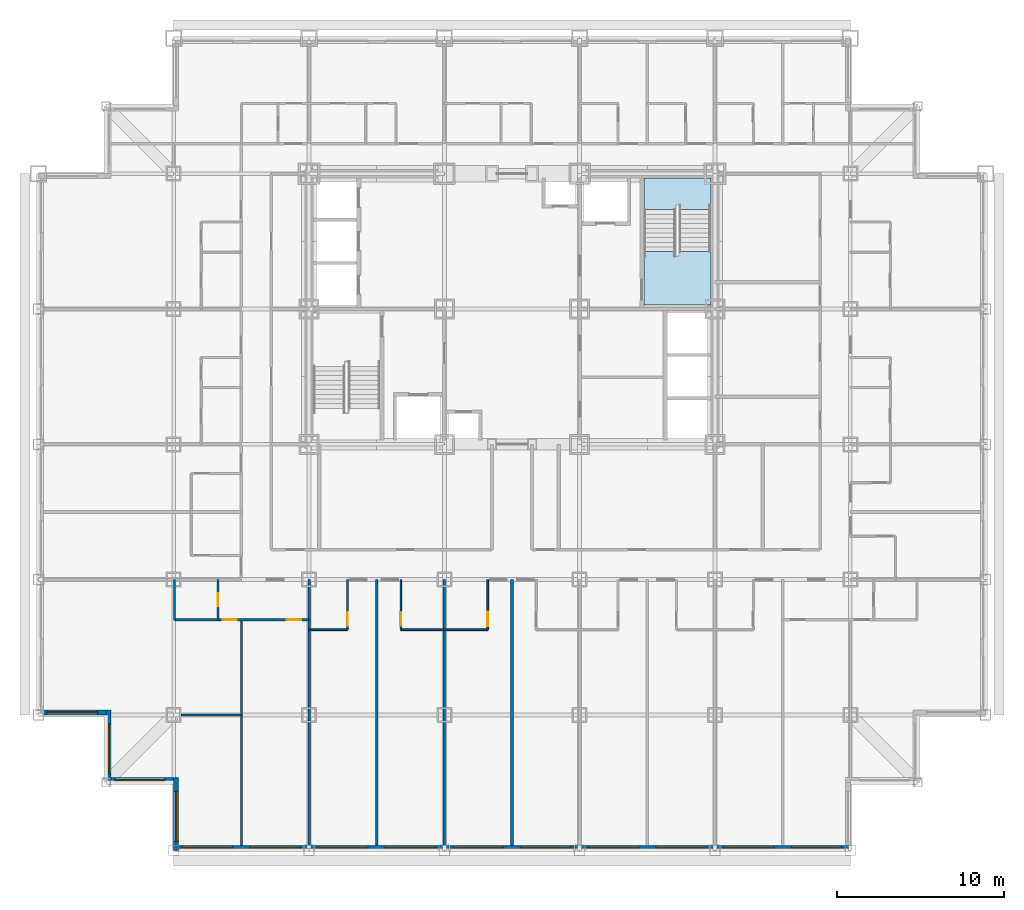
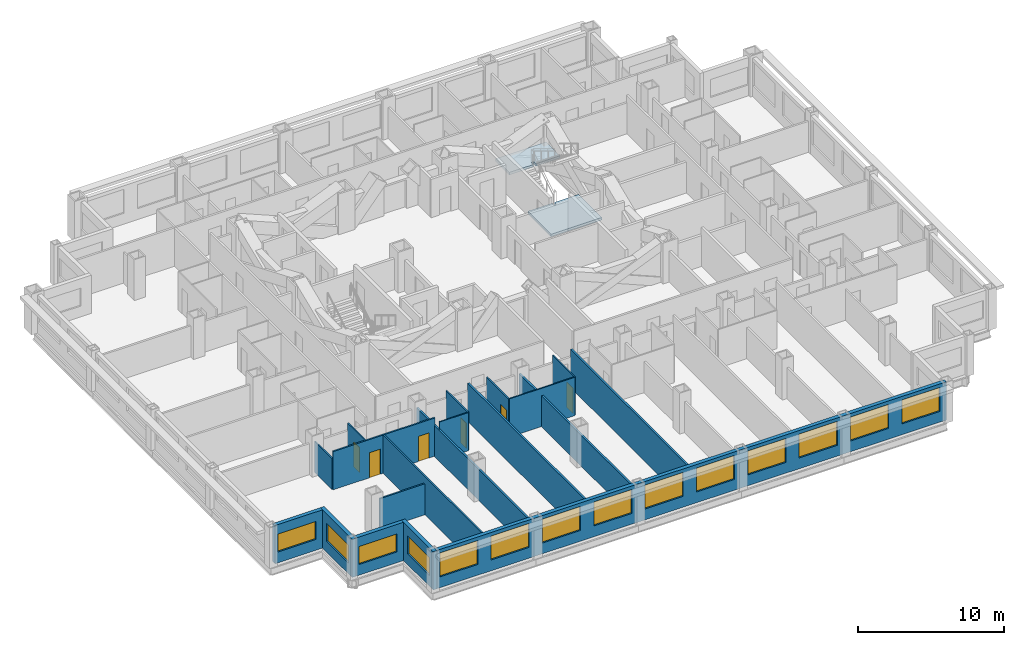
# One storey, part 3 of 11: 19 walls, 14 windows, 6 doors, 2 slabs, 20 openings, 1 element without a shape of its own.
"""IFC4 building model written with IfcOpenShell, lengths in metres."""

from ifc_helpers import new_model, si_unit, direction, frame, frame_2d, origin, place, context, subcontext, project, spatial, polyline, rectangle, outline, extrude, material, layer, layer_set, type_object, element, fill, aggregate, save


model = new_model("IFC4")

# Units and contexts
model_context = context("Model", 3, precision=1e-05, world=origin(), true_north=direction((0.0, 1.0)))
body_context = subcontext(model_context, "Body", "Model", "MODEL_VIEW")
ifc_project = project(units=[si_unit("LENGTHUNIT", "METRE"), si_unit("AREAUNIT", "SQUARE_METRE"), si_unit("VOLUMEUNIT", "CUBIC_METRE"), si_unit("PLANEANGLEUNIT", "RADIAN"), si_unit("MASSUNIT", "GRAM", prefix="KILO")], contexts=[model_context])

# Site, building, storey
site_placement = place(None, origin())
site = spatial("IfcSite", under=ifc_project, at=site_placement, CompositionType="ELEMENT")
building_placement = place(site_placement, origin())
building = spatial("IfcBuilding", under=site, at=building_placement, Name="Kopane Lantern Tower", CompositionType="ELEMENT")
storey_placement = place(building_placement, frame((0.0, 0.0, 73.800048828125)))
storey = spatial("IfcBuildingStorey", under=building, at=storey_placement, Name="L18", CompositionType="ELEMENT", Elevation=73.800048828125)

# Stair, slabs
ifc_material_1 = material(Name="Steel S355JR", Category="steel")
stair_type = type_object("IfcStairType", Name="EXIT STAIR 1900 HALF TURN", PredefinedType="HALF_TURN_STAIR", material=ifc_material_1)
stair_placement = place(storey_placement, origin())
stair = element("IfcStair", 1, at=stair_placement, inside=storey, type_object=stair_type, Name="Exit stair ST2 L18", PredefinedType="HALF_TURN_STAIR")
ifc_material_2 = material(Name="Concrete C40/50", Category="concrete")
ifc_layer_1 = layer(ifc_material_2, 0.199951171875)
ifc_layer_set_1 = layer_set([ifc_layer_1], Name="STAIR LANDING 200")
slab_type = type_object("IfcSlabType", Name="STAIR LANDING 200", PredefinedType="LANDING", material=ifc_layer_set_1)
slab_1_placement = place(storey_placement, frame((0.0, 0.0, -0.199951171875)))
slab_1 = element("IfcSlab", 2, at=slab_1_placement, type_object=slab_type, Name="ST2 landing 1", PredefinedType="LANDING", context=body_context, shape_type="SweptSolid", body=[
    extrude(outline(polyline([(40.25, 35.830078125), (38.35009765625, 35.830078125), (38.35009765625, 35.550048828125), (38.14990234375, 35.550048828125), (38.14990234375, 35.830078125), (36.25, 35.830078125), (36.25, 32.64990234375), (40.25, 32.64990234375), (40.25, 35.830078125)])), origin(), (0.0, 0.0, 1.0), 0.199951171875),
])
slab_2_placement = place(storey_placement, frame((0.0, 0.0, 1.5)))
slab_2 = element("IfcSlab", 3, at=slab_2_placement, type_object=slab_type, Name="ST2 landing 2", PredefinedType="LANDING", context=body_context, shape_type="SweptSolid", body=[
    extrude(outline(polyline([(38.14990234375, 38.6298828125), (38.35009765625, 38.6298828125), (38.35009765625, 38.35009765625), (40.25, 38.35009765625), (40.25, 40.25), (36.25, 40.25), (36.25, 38.35009765625), (38.14990234375, 38.35009765625), (38.14990234375, 38.6298828125)])), origin(), (0.0, 0.0, 1.0), 0.199951171875),
])
aggregate(stair, [slab_1, slab_2])

# Wall, openings, doors
ifc_material_3 = material(Name="Gypsum board on steel studs", Category="steel")
ifc_layer_2 = layer(ifc_material_3, 0.1201171875)
ifc_layer_set_2 = layer_set([ifc_layer_2], Name="APARTMENT INTERNAL WALL 120")
wall_type_1 = type_object("IfcWallType", Name="APARTMENT INTERNAL WALL 120", PredefinedType="PARTITIONING", material=ifc_layer_set_2)
wall_1_placement = place(storey_placement, frame((8.14990234375, 13.800048828125, 0.0), z_axis=(0.0, 0.0, 1.0), x_axis=(1.0, 0.0, 0.0)))
wall_1 = element("IfcWall", 4, at=wall_1_placement, inside=storey, type_object=wall_type_1, Name="Apartment Internal Wall 120 L18", PredefinedType="PARTITIONING", context=body_context, shape_type="SweptSolid", body=[
    extrude(rectangle(XDim=8.050048828125, YDim=0.1201171875, at=frame_2d((4.02490234375, 0.0))), origin(), (0.0, 0.0, 1.0), 3.18994140625),
])
opening_1_placement = place(wall_1_placement, frame((6.72509765625, 0.0, 0.0)))
opening_1 = element("IfcOpeningElement", 5, at=opening_1_placement, cuts=wall_1, Name="Opening L18-060", PredefinedType="OPENING", context=body_context, shape_type="SweptSolid", body=[
    extrude(rectangle(XDim=0.85009765625, YDim=2.10009765625, at=frame_2d((0.425048828125, 1.050048828125))), frame((0.0, 0.070068359375, 0.0), z_axis=(0.0, -1.0, 0.0), x_axis=(1.0, 0.0, 0.0)), (0.0, 0.0, 1.0), 0.14013671875),
])
opening_2_placement = place(wall_1_placement, frame((2.875, 0.0, 0.0)))
opening_2 = element("IfcOpeningElement", 6, at=opening_2_placement, cuts=wall_1, Name="Opening L18-062", PredefinedType="OPENING", context=body_context, shape_type="SweptSolid", body=[
    extrude(rectangle(XDim=0.85009765625, YDim=2.10009765625, at=frame_2d((0.425048828125, 1.050048828125))), frame((0.0, 0.070068359375, 0.0), z_axis=(0.0, -1.0, 0.0), x_axis=(1.0, 0.0, 0.0)), (0.0, 0.0, 1.0), 0.14013671875),
])
ifc_material_4 = material(Name="Timber door set", Category="wood")
door_type_1 = type_object("IfcDoorType", Name="DOOR D4 850x2100", OperationType="SINGLE_SWING_LEFT", PredefinedType="DOOR", material=ifc_material_4)
door_1_placement = place(opening_1_placement, origin())
door_1 = element("IfcDoor", 7, at=door_1_placement, inside=storey, type_object=door_type_1, Name="Door L18-060", OperationType="SINGLE_SWING_RIGHT", OverallHeight=2.10009765625, OverallWidth=0.85009765625, PredefinedType="DOOR", context=body_context, shape_type="SweptSolid", body=[
    extrude(rectangle(XDim=0.85009765625, YDim=2.10009765625, at=frame_2d((0.425048828125, 1.050048828125))), frame((0.0, 0.02490234375, 0.0), z_axis=(0.0, -1.0, 0.0), x_axis=(1.0, 0.0, 0.0)), (0.0, 0.0, 1.0), 0.050048828125),
])
fill(opening_1, door_1)
door_2_placement = place(opening_2_placement, origin())
door_2 = element("IfcDoor", 8, at=door_2_placement, inside=storey, type_object=door_type_1, Name="Door L18-062", OperationType="SINGLE_SWING_LEFT", OverallHeight=2.10009765625, OverallWidth=0.85009765625, PredefinedType="DOOR", context=body_context, shape_type="SweptSolid", body=[
    extrude(rectangle(XDim=0.85009765625, YDim=2.10009765625, at=frame_2d((0.425048828125, 1.050048828125))), frame((0.0, 0.02490234375, 0.0), z_axis=(0.0, -1.0, 0.0), x_axis=(1.0, 0.0, 0.0)), (0.0, 0.0, 1.0), 0.050048828125),
])
fill(opening_2, door_2)

# Walls
wall_2_placement = place(storey_placement, frame((12.14990234375, 13.800048828125, 0.0), z_axis=(0.0, 0.0, 1.0), x_axis=(0.0, -1.0, 0.0)))
element("IfcWall", 9, at=wall_2_placement, inside=storey, type_object=wall_type_1, Name="Apartment Internal Wall 120 L18", PredefinedType="PARTITIONING", context=body_context, shape_type="SweptSolid", body=[
    extrude(rectangle(XDim=13.5, YDim=0.1201171875, at=frame_2d((6.75, 0.0))), origin(), (0.0, 0.0, 1.0), 3.18994140625),
])
wall_3_placement = place(storey_placement, frame((12.14990234375, 8.10009765625, 0.0), z_axis=(0.0, 0.0, 1.0), x_axis=(-1.0, 0.0, 0.0)))
element("IfcWall", 10, at=wall_3_placement, inside=storey, type_object=wall_type_1, Name="Apartment Internal Wall 120 L18", PredefinedType="PARTITIONING", context=body_context, shape_type="SweptSolid", body=[
    extrude(rectangle(XDim=3.599853515625, YDim=0.1201171875, at=frame_2d((1.7998046875, 0.0))), origin(), (0.0, 0.0, 1.0), 2.57763671875),
])
ifc_material_5 = material(Name="Moisture-resistant board on steel studs", Category="steel")
ifc_layer_3 = layer(ifc_material_5, 0.10009765625)
ifc_layer_set_3 = layer_set([ifc_layer_3], Name="BATHROOM WALL 100")
wall_type_2 = type_object("IfcWallType", Name="BATHROOM WALL 100", PredefinedType="PARTITIONING", material=ifc_layer_set_3)
wall_4_placement = place(storey_placement, frame((16.199951171875, 13.199951171875, 0.0), z_axis=(0.0, 0.0, 1.0), x_axis=(1.0, 0.0, 0.0)))
element("IfcWall", 11, at=wall_4_placement, inside=storey, type_object=wall_type_2, Name="Bathroom Wall 100 L18", PredefinedType="PARTITIONING", context=body_context, shape_type="SweptSolid", body=[
    extrude(rectangle(XDim=2.300048828125, YDim=0.10009765625, at=frame_2d((1.14990234375, 0.0))), origin(), (0.0, 0.0, 1.0), 3.18994140625),
])

# Wall, opening, door
wall_5_placement = place(storey_placement, frame((18.5, 16.199951171875, 0.0), z_axis=(0.0, 0.0, 1.0), x_axis=(0.0, -1.0, 0.0)))
wall_5 = element("IfcWall", 12, at=wall_5_placement, inside=storey, type_object=wall_type_2, Name="Bathroom Wall 100 L18", PredefinedType="PARTITIONING", context=body_context, shape_type="SweptSolid", body=[
    extrude(rectangle(XDim=3.0, YDim=0.10009765625, at=frame_2d((1.5, 0.0))), origin(), (0.0, 0.0, 1.0), 3.18994140625),
])
opening_3_placement = place(wall_5_placement, frame((1.949951171875, 0.0, 0.0)))
opening_3 = element("IfcOpeningElement", 13, at=opening_3_placement, cuts=wall_5, Name="Opening L18-013", PredefinedType="OPENING", context=body_context, shape_type="SweptSolid", body=[
    extrude(rectangle(XDim=0.800048828125, YDim=2.10009765625, at=frame_2d((0.39990234375, 1.050048828125))), frame((0.0, 0.06005859375, 0.0), z_axis=(0.0, -1.0, 0.0), x_axis=(1.0, 0.0, 0.0)), (0.0, 0.0, 1.0), 0.1201171875),
])
ifc_material_6 = material(Name="Timber door set", Category="wood")
door_type_2 = type_object("IfcDoorType", Name="DOOR D2 800x2100", OperationType="SINGLE_SWING_LEFT", PredefinedType="DOOR", material=ifc_material_6)
door_3_placement = place(opening_3_placement, origin())
door_3 = element("IfcDoor", 14, at=door_3_placement, inside=storey, type_object=door_type_2, Name="Door L18-013", OperationType="SINGLE_SWING_LEFT", OverallHeight=2.10009765625, OverallWidth=0.800048828125, PredefinedType="DOOR", context=body_context, shape_type="SweptSolid", body=[
    extrude(rectangle(XDim=0.800048828125, YDim=2.10009765625, at=frame_2d((0.39990234375, 1.050048828125))), frame((0.0, 0.02490234375, 0.0), z_axis=(0.0, -1.0, 0.0), x_axis=(1.0, 0.0, 0.0)), (0.0, 0.0, 1.0), 0.050048828125),
])
fill(opening_3, door_3)

# Wall
wall_6_placement = place(storey_placement, frame((21.699951171875, 13.199951171875, 0.0), z_axis=(0.0, 0.0, 1.0), x_axis=(1.0, 0.0, 0.0)))
element("IfcWall", 15, at=wall_6_placement, inside=storey, type_object=wall_type_2, Name="Bathroom Wall 100 L18", PredefinedType="PARTITIONING", context=body_context, shape_type="SweptSolid", body=[
    extrude(rectangle(XDim=5.199951171875, YDim=0.10009765625, at=frame_2d((2.60009765625, 0.0))), origin(), (0.0, 0.0, 1.0), 3.18994140625),
])

# Wall, opening, door
wall_7_placement = place(storey_placement, frame((21.699951171875, 16.199951171875, 0.0), z_axis=(0.0, 0.0, 1.0), x_axis=(0.0, -1.0, 0.0)))
wall_7 = element("IfcWall", 16, at=wall_7_placement, inside=storey, type_object=wall_type_2, Name="Bathroom Wall 100 L18", PredefinedType="PARTITIONING", context=body_context, shape_type="SweptSolid", body=[
    extrude(rectangle(XDim=3.0, YDim=0.10009765625, at=frame_2d((1.5, 0.0))), origin(), (0.0, 0.0, 1.0), 3.18994140625),
])
opening_4_placement = place(wall_7_placement, frame((1.949951171875, 0.0, 0.0)))
opening_4 = element("IfcOpeningElement", 17, at=opening_4_placement, cuts=wall_7, Name="Opening L18-015", PredefinedType="OPENING", context=body_context, shape_type="SweptSolid", body=[
    extrude(rectangle(XDim=0.800048828125, YDim=2.10009765625, at=frame_2d((0.39990234375, 1.050048828125))), frame((0.0, 0.06005859375, 0.0), z_axis=(0.0, -1.0, 0.0), x_axis=(1.0, 0.0, 0.0)), (0.0, 0.0, 1.0), 0.1201171875),
])
door_4_placement = place(opening_4_placement, origin())
door_4 = element("IfcDoor", 18, at=door_4_placement, inside=storey, type_object=door_type_2, Name="Door L18-015", OperationType="SINGLE_SWING_RIGHT", OverallHeight=2.10009765625, OverallWidth=0.800048828125, PredefinedType="DOOR", context=body_context, shape_type="SweptSolid", body=[
    extrude(rectangle(XDim=0.800048828125, YDim=2.10009765625, at=frame_2d((0.39990234375, 1.050048828125))), frame((0.0, 0.02490234375, 0.0), z_axis=(0.0, -1.0, 0.0), x_axis=(1.0, 0.0, 0.0)), (0.0, 0.0, 1.0), 0.050048828125),
])
fill(opening_4, door_4)

wall_8_placement = place(storey_placement, frame((26.89990234375, 16.199951171875, 0.0), z_axis=(0.0, 0.0, 1.0), x_axis=(0.0, -1.0, 0.0)))
wall_8 = element("IfcWall", 19, at=wall_8_placement, inside=storey, type_object=wall_type_2, Name="Bathroom Wall 100 L18", PredefinedType="PARTITIONING", context=body_context, shape_type="SweptSolid", body=[
    extrude(rectangle(XDim=3.0, YDim=0.10009765625, at=frame_2d((1.5, 0.0))), origin(), (0.0, 0.0, 1.0), 3.18994140625),
])
opening_5_placement = place(wall_8_placement, frame((1.925048828125, 0.0, 0.0)))
opening_5 = element("IfcOpeningElement", 20, at=opening_5_placement, cuts=wall_8, Name="Opening L18-017", PredefinedType="OPENING", context=body_context, shape_type="SweptSolid", body=[
    extrude(rectangle(XDim=0.85009765625, YDim=2.10009765625, at=frame_2d((0.425048828125, 1.050048828125))), frame((0.0, 0.06005859375, 0.0), z_axis=(0.0, -1.0, 0.0), x_axis=(1.0, 0.0, 0.0)), (0.0, 0.0, 1.0), 0.1201171875),
])
door_5_placement = place(opening_5_placement, origin())
door_5 = element("IfcDoor", 21, at=door_5_placement, inside=storey, type_object=door_type_1, Name="Door L18-017", OperationType="SINGLE_SWING_LEFT", OverallHeight=2.10009765625, OverallWidth=0.85009765625, PredefinedType="DOOR", context=body_context, shape_type="SweptSolid", body=[
    extrude(rectangle(XDim=0.85009765625, YDim=2.10009765625, at=frame_2d((0.425048828125, 1.050048828125))), frame((0.0, 0.02490234375, 0.0), z_axis=(0.0, -1.0, 0.0), x_axis=(1.0, 0.0, 0.0)), (0.0, 0.0, 1.0), 0.050048828125),
])
fill(opening_5, door_5)

wall_9_placement = place(storey_placement, frame((10.75, 16.199951171875, 0.0), z_axis=(0.0, 0.0, 1.0), x_axis=(0.0, -1.0, 0.0)))
wall_9 = element("IfcWall", 22, at=wall_9_placement, inside=storey, type_object=wall_type_2, Name="Bathroom Wall 100 L18", PredefinedType="PARTITIONING", context=body_context, shape_type="SweptSolid", body=[
    extrude(rectangle(XDim=2.39990234375, YDim=0.10009765625, at=frame_2d((1.199951171875, 0.0))), origin(), (0.0, 0.0, 1.0), 3.18994140625),
])
opening_6_placement = place(wall_9_placement, frame((0.800048828125, 0.0, 0.0)))
opening_6 = element("IfcOpeningElement", 23, at=opening_6_placement, cuts=wall_9, Name="Opening L18-061", PredefinedType="OPENING", context=body_context, shape_type="SweptSolid", body=[
    extrude(rectangle(XDim=0.800048828125, YDim=2.10009765625, at=frame_2d((0.39990234375, 1.050048828125))), frame((0.0, 0.06005859375, 0.0), z_axis=(0.0, -1.0, 0.0), x_axis=(1.0, 0.0, 0.0)), (0.0, 0.0, 1.0), 0.1201171875),
])
door_6_placement = place(opening_6_placement, origin())
door_6 = element("IfcDoor", 24, at=door_6_placement, inside=storey, type_object=door_type_2, Name="Door L18-061", OperationType="SINGLE_SWING_RIGHT", OverallHeight=2.10009765625, OverallWidth=0.800048828125, PredefinedType="DOOR", context=body_context, shape_type="SweptSolid", body=[
    extrude(rectangle(XDim=0.800048828125, YDim=2.10009765625, at=frame_2d((0.39990234375, 1.050048828125))), frame((0.0, 0.02490234375, 0.0), z_axis=(0.0, -1.0, 0.0), x_axis=(1.0, 0.0, 0.0)), (0.0, 0.0, 1.0), 0.050048828125),
])
fill(opening_6, door_6)

# Walls
wall_10_placement = place(storey_placement, frame((8.14990234375, 16.199951171875, 0.0), z_axis=(0.0, 0.0, 1.0), x_axis=(0.0, -1.0, 0.0)))
element("IfcWall", 25, at=wall_10_placement, inside=storey, type_object=wall_type_2, Name="Bathroom Wall 100 L18", PredefinedType="PARTITIONING", context=body_context, shape_type="SweptSolid", body=[
    extrude(rectangle(XDim=2.39990234375, YDim=0.10009765625, at=frame_2d((1.199951171875, 0.0))), origin(), (0.0, 0.0, 1.0), 2.57763671875),
])
ifc_material_7 = material(Name="Gypsum board on steel studs", Category="steel")
ifc_layer_4 = layer(ifc_material_7, 0.14990234375)
ifc_layer_set_4 = layer_set([ifc_layer_4], Name="DEMISING WALL 150 EI 60")
wall_type_3 = type_object("IfcWallType", Name="DEMISING WALL 150 EI 60", PredefinedType="PARTITIONING", material=ifc_layer_set_4)
wall_11_placement = place(storey_placement, frame((20.25, 16.199951171875, 0.0), z_axis=(0.0, 0.0, 1.0), x_axis=(0.0, -1.0, 0.0)))
element("IfcWall", 26, at=wall_11_placement, inside=storey, type_object=wall_type_3, Name="Demising Wall 150 Ei 60 L18", PredefinedType="PARTITIONING", context=body_context, shape_type="SweptSolid", body=[
    extrude(rectangle(XDim=15.89990234375, YDim=0.14990234375, at=frame_2d((7.949951171875, 0.0))), origin(), (0.0, 0.0, 1.0), 3.18994140625),
])
wall_12_placement = place(storey_placement, frame((24.300048828125, 16.199951171875, 0.0), z_axis=(0.0, 0.0, 1.0), x_axis=(0.0, -1.0, 0.0)))
element("IfcWall", 27, at=wall_12_placement, inside=storey, type_object=wall_type_3, Name="Demising Wall 150 Ei 60 L18", PredefinedType="PARTITIONING", context=body_context, shape_type="SweptSolid", body=[
    extrude(rectangle(XDim=15.89990234375, YDim=0.14990234375, at=frame_2d((7.949951171875, 0.0))), origin(), (0.0, 0.0, 1.0), 2.57763671875),
])
wall_13_placement = place(storey_placement, frame((28.35009765625, 16.199951171875, 0.0), z_axis=(0.0, 0.0, 1.0), x_axis=(0.0, -1.0, 0.0)))
element("IfcWall", 28, at=wall_13_placement, inside=storey, type_object=wall_type_3, Name="Demising Wall 150 Ei 60 L18", PredefinedType="PARTITIONING", context=body_context, shape_type="SweptSolid", body=[
    extrude(rectangle(XDim=15.89990234375, YDim=0.14990234375, at=frame_2d((7.949951171875, 0.0))), origin(), (0.0, 0.0, 1.0), 3.18994140625),
])
wall_14_placement = place(storey_placement, frame((16.199951171875, 16.199951171875, 0.0), z_axis=(0.0, 0.0, 1.0), x_axis=(0.0, -1.0, 0.0)))
element("IfcWall", 29, at=wall_14_placement, inside=storey, type_object=wall_type_3, Name="Demising Wall 150 Ei 60 L18", PredefinedType="PARTITIONING", context=body_context, shape_type="SweptSolid", body=[
    extrude(rectangle(XDim=15.89990234375, YDim=0.14990234375, at=frame_2d((7.949951171875, 0.0))), origin(), (0.0, 0.0, 1.0), 2.57763671875),
])

# Wall, openings, windows
ifc_material_8 = material(Name="Terracotta rainscreen on light steel framing", Category="masonry")
ifc_layer_5 = layer(ifc_material_8, 0.300048828125)
ifc_layer_set_5 = layer_set([ifc_layer_5], Name="EXTERNAL WALL EW1 300 TERRACOTTA")
wall_type_4 = type_object("IfcWallType", Name="EXTERNAL WALL EW1 300 TERRACOTTA", PredefinedType="SOLIDWALL", material=ifc_layer_set_5)
wall_15_placement = place(storey_placement, frame((8.39990234375, 0.14990234375, 0.0), z_axis=(0.0, 0.0, 1.0), x_axis=(1.0, 0.0, 0.0)))
wall_15 = element("IfcWall", 30, at=wall_15_placement, inside=storey, type_object=wall_type_4, Name="External wall S L18", PredefinedType="SOLIDWALL", context=body_context, shape_type="SweptSolid", body=[
    extrude(rectangle(XDim=40.2001953125, YDim=0.300048828125, at=frame_2d((20.10009765625, 0.0))), origin(), (0.0, 0.0, 1.0), 3.18994140625),
])
opening_7_placement = place(wall_15_placement, frame((0.22509765625, 0.0, 0.89990234375)))
opening_7 = element("IfcOpeningElement", 31, at=opening_7_placement, cuts=wall_15, Name="Opening WR300200", PredefinedType="OPENING", context=body_context, shape_type="SweptSolid", body=[
    extrude(rectangle(XDim=3.0, YDim=2.0, at=frame_2d((1.5, 1.0))), frame((0.0, 0.159912109375, 0.0), z_axis=(0.0, -1.0, 0.0), x_axis=(1.0, 0.0, 0.0)), (0.0, 0.0, 1.0), 0.320068359375),
])
opening_8_placement = place(wall_15_placement, frame((4.27490234375, 0.0, 0.89990234375)))
opening_8 = element("IfcOpeningElement", 32, at=opening_8_placement, cuts=wall_15, Name="Opening WR300200", PredefinedType="OPENING", context=body_context, shape_type="SweptSolid", body=[
    extrude(rectangle(XDim=3.0, YDim=2.0, at=frame_2d((1.5, 1.0))), frame((0.0, 0.159912109375, 0.0), z_axis=(0.0, -1.0, 0.0), x_axis=(1.0, 0.0, 0.0)), (0.0, 0.0, 1.0), 0.320068359375),
])
opening_9_placement = place(wall_15_placement, frame((8.324951171875, 0.0, 0.89990234375)))
opening_9 = element("IfcOpeningElement", 33, at=opening_9_placement, cuts=wall_15, Name="Opening WR300200", PredefinedType="OPENING", context=body_context, shape_type="SweptSolid", body=[
    extrude(rectangle(XDim=3.0, YDim=2.0, at=frame_2d((1.5, 1.0))), frame((0.0, 0.159912109375, 0.0), z_axis=(0.0, -1.0, 0.0), x_axis=(1.0, 0.0, 0.0)), (0.0, 0.0, 1.0), 0.320068359375),
])
opening_10_placement = place(wall_15_placement, frame((12.375, 0.0, 0.89990234375)))
opening_10 = element("IfcOpeningElement", 34, at=opening_10_placement, cuts=wall_15, Name="Opening WR300200", PredefinedType="OPENING", context=body_context, shape_type="SweptSolid", body=[
    extrude(rectangle(XDim=3.0, YDim=2.0, at=frame_2d((1.5, 1.0))), frame((0.0, 0.159912109375, 0.0), z_axis=(0.0, -1.0, 0.0), x_axis=(1.0, 0.0, 0.0)), (0.0, 0.0, 1.0), 0.320068359375),
])
opening_11_placement = place(wall_15_placement, frame((16.425048828125, 0.0, 0.89990234375)))
opening_11 = element("IfcOpeningElement", 35, at=opening_11_placement, cuts=wall_15, Name="Opening WR300200", PredefinedType="OPENING", context=body_context, shape_type="SweptSolid", body=[
    extrude(rectangle(XDim=3.0, YDim=2.0, at=frame_2d((1.5, 1.0))), frame((0.0, 0.159912109375, 0.0), z_axis=(0.0, -1.0, 0.0), x_axis=(1.0, 0.0, 0.0)), (0.0, 0.0, 1.0), 0.320068359375),
])
opening_12_placement = place(wall_15_placement, frame((20.47509765625, 0.0, 0.89990234375)))
opening_12 = element("IfcOpeningElement", 36, at=opening_12_placement, cuts=wall_15, Name="Opening WR300200", PredefinedType="OPENING", context=body_context, shape_type="SweptSolid", body=[
    extrude(rectangle(XDim=3.0, YDim=2.0, at=frame_2d((1.5, 1.0))), frame((0.0, 0.159912109375, 0.0), z_axis=(0.0, -1.0, 0.0), x_axis=(1.0, 0.0, 0.0)), (0.0, 0.0, 1.0), 0.320068359375),
])
opening_13_placement = place(wall_15_placement, frame((24.52490234375, 0.0, 0.89990234375)))
opening_13 = element("IfcOpeningElement", 37, at=opening_13_placement, cuts=wall_15, Name="Opening WR300200", PredefinedType="OPENING", context=body_context, shape_type="SweptSolid", body=[
    extrude(rectangle(XDim=3.0, YDim=2.0, at=frame_2d((1.5, 1.0))), frame((0.0, 0.159912109375, 0.0), z_axis=(0.0, -1.0, 0.0), x_axis=(1.0, 0.0, 0.0)), (0.0, 0.0, 1.0), 0.320068359375),
])
opening_14_placement = place(wall_15_placement, frame((28.574951171875, 0.0, 0.89990234375)))
opening_14 = element("IfcOpeningElement", 38, at=opening_14_placement, cuts=wall_15, Name="Opening WR300200", PredefinedType="OPENING", context=body_context, shape_type="SweptSolid", body=[
    extrude(rectangle(XDim=3.0, YDim=2.0, at=frame_2d((1.5, 1.0))), frame((0.0, 0.159912109375, 0.0), z_axis=(0.0, -1.0, 0.0), x_axis=(1.0, 0.0, 0.0)), (0.0, 0.0, 1.0), 0.320068359375),
])
opening_15_placement = place(wall_15_placement, frame((32.625, 0.0, 0.89990234375)))
opening_15 = element("IfcOpeningElement", 39, at=opening_15_placement, cuts=wall_15, Name="Opening WR300200", PredefinedType="OPENING", context=body_context, shape_type="SweptSolid", body=[
    extrude(rectangle(XDim=3.0, YDim=2.0, at=frame_2d((1.5, 1.0))), frame((0.0, 0.159912109375, 0.0), z_axis=(0.0, -1.0, 0.0), x_axis=(1.0, 0.0, 0.0)), (0.0, 0.0, 1.0), 0.320068359375),
])
opening_16_placement = place(wall_15_placement, frame((36.675048828125, 0.0, 0.89990234375)))
opening_16 = element("IfcOpeningElement", 40, at=opening_16_placement, cuts=wall_15, Name="Opening WR300200", PredefinedType="OPENING", context=body_context, shape_type="SweptSolid", body=[
    extrude(rectangle(XDim=3.0, YDim=2.0, at=frame_2d((1.5, 1.0))), frame((0.0, 0.159912109375, 0.0), z_axis=(0.0, -1.0, 0.0), x_axis=(1.0, 0.0, 0.0)), (0.0, 0.0, 1.0), 0.320068359375),
])
ifc_material_9 = material(Name="Aluminium and clear glass", Category="aluminium")
window_type_1 = type_object("IfcWindowType", Name="RIBBON WINDOW WR300200 3000x2000", PartitioningType="SINGLE_PANEL", PredefinedType="WINDOW", material=ifc_material_9)
window_1_placement = place(opening_7_placement, origin())
window_1 = element("IfcWindow", 41, at=window_1_placement, inside=storey, type_object=window_type_1, Name="Window S L18", OverallHeight=2.0, OverallWidth=3.0, PartitioningType="SINGLE_PANEL", PredefinedType="WINDOW", context=body_context, shape_type="SweptSolid", body=[
    extrude(rectangle(XDim=3.0, YDim=2.0, at=frame_2d((1.5, 1.0))), frame((0.0, 0.030029296875, 0.0), z_axis=(0.0, -1.0, 0.0), x_axis=(1.0, 0.0, 0.0)), (0.0, 0.0, 1.0), 0.06005859375),
])
fill(opening_7, window_1)
window_2_placement = place(opening_8_placement, origin())
window_2 = element("IfcWindow", 42, at=window_2_placement, inside=storey, type_object=window_type_1, Name="Window S L18", OverallHeight=2.0, OverallWidth=3.0, PartitioningType="SINGLE_PANEL", PredefinedType="WINDOW", context=body_context, shape_type="SweptSolid", body=[
    extrude(rectangle(XDim=3.0, YDim=2.0, at=frame_2d((1.5, 1.0))), frame((0.0, 0.030029296875, 0.0), z_axis=(0.0, -1.0, 0.0), x_axis=(1.0, 0.0, 0.0)), (0.0, 0.0, 1.0), 0.06005859375),
])
fill(opening_8, window_2)
window_3_placement = place(opening_9_placement, origin())
window_3 = element("IfcWindow", 43, at=window_3_placement, inside=storey, type_object=window_type_1, Name="Window S L18", OverallHeight=2.0, OverallWidth=3.0, PartitioningType="SINGLE_PANEL", PredefinedType="WINDOW", context=body_context, shape_type="SweptSolid", body=[
    extrude(rectangle(XDim=3.0, YDim=2.0, at=frame_2d((1.5, 1.0))), frame((0.0, 0.030029296875, 0.0), z_axis=(0.0, -1.0, 0.0), x_axis=(1.0, 0.0, 0.0)), (0.0, 0.0, 1.0), 0.06005859375),
])
fill(opening_9, window_3)
window_4_placement = place(opening_10_placement, origin())
window_4 = element("IfcWindow", 44, at=window_4_placement, inside=storey, type_object=window_type_1, Name="Window S L18", OverallHeight=2.0, OverallWidth=3.0, PartitioningType="SINGLE_PANEL", PredefinedType="WINDOW", context=body_context, shape_type="SweptSolid", body=[
    extrude(rectangle(XDim=3.0, YDim=2.0, at=frame_2d((1.5, 1.0))), frame((0.0, 0.030029296875, 0.0), z_axis=(0.0, -1.0, 0.0), x_axis=(1.0, 0.0, 0.0)), (0.0, 0.0, 1.0), 0.06005859375),
])
fill(opening_10, window_4)
window_5_placement = place(opening_11_placement, origin())
window_5 = element("IfcWindow", 45, at=window_5_placement, inside=storey, type_object=window_type_1, Name="Window S L18", OverallHeight=2.0, OverallWidth=3.0, PartitioningType="SINGLE_PANEL", PredefinedType="WINDOW", context=body_context, shape_type="SweptSolid", body=[
    extrude(rectangle(XDim=3.0, YDim=2.0, at=frame_2d((1.5, 1.0))), frame((0.0, 0.030029296875, 0.0), z_axis=(0.0, -1.0, 0.0), x_axis=(1.0, 0.0, 0.0)), (0.0, 0.0, 1.0), 0.06005859375),
])
fill(opening_11, window_5)
window_6_placement = place(opening_12_placement, origin())
window_6 = element("IfcWindow", 46, at=window_6_placement, inside=storey, type_object=window_type_1, Name="Window S L18", OverallHeight=2.0, OverallWidth=3.0, PartitioningType="SINGLE_PANEL", PredefinedType="WINDOW", context=body_context, shape_type="SweptSolid", body=[
    extrude(rectangle(XDim=3.0, YDim=2.0, at=frame_2d((1.5, 1.0))), frame((0.0, 0.030029296875, 0.0), z_axis=(0.0, -1.0, 0.0), x_axis=(1.0, 0.0, 0.0)), (0.0, 0.0, 1.0), 0.06005859375),
])
fill(opening_12, window_6)
window_7_placement = place(opening_13_placement, origin())
window_7 = element("IfcWindow", 47, at=window_7_placement, inside=storey, type_object=window_type_1, Name="Window S L18", OverallHeight=2.0, OverallWidth=3.0, PartitioningType="SINGLE_PANEL", PredefinedType="WINDOW", context=body_context, shape_type="SweptSolid", body=[
    extrude(rectangle(XDim=3.0, YDim=2.0, at=frame_2d((1.5, 1.0))), frame((0.0, 0.030029296875, 0.0), z_axis=(0.0, -1.0, 0.0), x_axis=(1.0, 0.0, 0.0)), (0.0, 0.0, 1.0), 0.06005859375),
])
fill(opening_13, window_7)
window_8_placement = place(opening_14_placement, origin())
window_8 = element("IfcWindow", 48, at=window_8_placement, inside=storey, type_object=window_type_1, Name="Window S L18", OverallHeight=2.0, OverallWidth=3.0, PartitioningType="SINGLE_PANEL", PredefinedType="WINDOW", context=body_context, shape_type="SweptSolid", body=[
    extrude(rectangle(XDim=3.0, YDim=2.0, at=frame_2d((1.5, 1.0))), frame((0.0, 0.030029296875, 0.0), z_axis=(0.0, -1.0, 0.0), x_axis=(1.0, 0.0, 0.0)), (0.0, 0.0, 1.0), 0.06005859375),
])
fill(opening_14, window_8)
window_9_placement = place(opening_15_placement, origin())
window_9 = element("IfcWindow", 49, at=window_9_placement, inside=storey, type_object=window_type_1, Name="Window S L18", OverallHeight=2.0, OverallWidth=3.0, PartitioningType="SINGLE_PANEL", PredefinedType="WINDOW", context=body_context, shape_type="SweptSolid", body=[
    extrude(rectangle(XDim=3.0, YDim=2.0, at=frame_2d((1.5, 1.0))), frame((0.0, 0.030029296875, 0.0), z_axis=(0.0, -1.0, 0.0), x_axis=(1.0, 0.0, 0.0)), (0.0, 0.0, 1.0), 0.06005859375),
])
fill(opening_15, window_9)
window_10_placement = place(opening_16_placement, origin())
window_10 = element("IfcWindow", 50, at=window_10_placement, inside=storey, type_object=window_type_1, Name="Window S L18", OverallHeight=2.0, OverallWidth=3.0, PartitioningType="SINGLE_PANEL", PredefinedType="WINDOW", context=body_context, shape_type="SweptSolid", body=[
    extrude(rectangle(XDim=3.0, YDim=2.0, at=frame_2d((1.5, 1.0))), frame((0.0, 0.030029296875, 0.0), z_axis=(0.0, -1.0, 0.0), x_axis=(1.0, 0.0, 0.0)), (0.0, 0.0, 1.0), 0.06005859375),
])
fill(opening_16, window_10)

# Wall, opening, window
wall_16_placement = place(storey_placement, frame((0.300048828125, 8.25, 0.0), z_axis=(0.0, 0.0, 1.0), x_axis=(1.0, 0.0, 0.0)))
wall_16 = element("IfcWall", 51, at=wall_16_placement, inside=storey, type_object=wall_type_4, Name="External wall S L18", PredefinedType="SOLIDWALL", context=body_context, shape_type="SweptSolid", body=[
    extrude(rectangle(XDim=3.75, YDim=0.300048828125, at=frame_2d((1.875, 0.0))), origin(), (0.0, 0.0, 1.0), 3.18994140625),
])
opening_17_placement = place(wall_16_placement, frame((0.22509765625, 0.0, 0.89990234375)))
opening_17 = element("IfcOpeningElement", 52, at=opening_17_placement, cuts=wall_16, Name="Opening WR300150", PredefinedType="OPENING", context=body_context, shape_type="SweptSolid", body=[
    extrude(rectangle(XDim=3.0, YDim=1.5, at=frame_2d((1.5, 0.75))), frame((0.0, 0.159912109375, 0.0), z_axis=(0.0, -1.0, 0.0), x_axis=(1.0, 0.0, 0.0)), (0.0, 0.0, 1.0), 0.320068359375),
])
ifc_material_10 = material(Name="Aluminium and clear glass", Category="aluminium")
window_type_2 = type_object("IfcWindowType", Name="RIBBON WINDOW WR300150 3000x1500", PartitioningType="SINGLE_PANEL", PredefinedType="WINDOW", material=ifc_material_10)
window_11_placement = place(opening_17_placement, origin())
window_11 = element("IfcWindow", 53, at=window_11_placement, inside=storey, type_object=window_type_2, Name="Window S L18", OverallHeight=1.5, OverallWidth=3.0, PartitioningType="SINGLE_PANEL", PredefinedType="WINDOW", context=body_context, shape_type="SweptSolid", body=[
    extrude(rectangle(XDim=3.0, YDim=1.5, at=frame_2d((1.5, 0.75))), frame((0.0, 0.030029296875, 0.0), z_axis=(0.0, -1.0, 0.0), x_axis=(1.0, 0.0, 0.0)), (0.0, 0.0, 1.0), 0.06005859375),
])
fill(opening_17, window_11)

wall_17_placement = place(storey_placement, frame((4.199951171875, 8.39990234375, 0.0), z_axis=(0.0, 0.0, 1.0), x_axis=(0.0, -1.0, 0.0)))
wall_17 = element("IfcWall", 54, at=wall_17_placement, inside=storey, type_object=wall_type_4, Name="External wall W L18", PredefinedType="SOLIDWALL", context=body_context, shape_type="SweptSolid", body=[
    extrude(rectangle(XDim=4.349853515625, YDim=0.300048828125, at=frame_2d((2.1748046875, 0.0))), origin(), (0.0, 0.0, 1.0), 3.18994140625),
])
opening_18_placement = place(wall_17_placement, frame((0.824951171875, 0.0, 0.89990234375)))
opening_18 = element("IfcOpeningElement", 55, at=opening_18_placement, cuts=wall_17, Name="Opening WR300150", PredefinedType="OPENING", context=body_context, shape_type="SweptSolid", body=[
    extrude(rectangle(XDim=3.0, YDim=1.5, at=frame_2d((1.5, 0.75))), frame((0.0, 0.159912109375, 0.0), z_axis=(0.0, -1.0, 0.0), x_axis=(1.0, 0.0, 0.0)), (0.0, 0.0, 1.0), 0.320068359375),
])
window_12_placement = place(opening_18_placement, origin())
window_12 = element("IfcWindow", 56, at=window_12_placement, inside=storey, type_object=window_type_2, Name="Window W L18", OverallHeight=1.5, OverallWidth=3.0, PartitioningType="SINGLE_PANEL", PredefinedType="WINDOW", context=body_context, shape_type="SweptSolid", body=[
    extrude(rectangle(XDim=3.0, YDim=1.5, at=frame_2d((1.5, 0.75))), frame((0.0, 0.030029296875, 0.0), z_axis=(0.0, -1.0, 0.0), x_axis=(1.0, 0.0, 0.0)), (0.0, 0.0, 1.0), 0.06005859375),
])
fill(opening_18, window_12)

wall_18_placement = place(storey_placement, frame((4.35009765625, 4.199951171875, 0.0), z_axis=(0.0, 0.0, 1.0), x_axis=(1.0, 0.0, 0.0)))
wall_18 = element("IfcWall", 57, at=wall_18_placement, inside=storey, type_object=wall_type_4, Name="External wall S L18", PredefinedType="SOLIDWALL", context=body_context, shape_type="SweptSolid", body=[
    extrude(rectangle(XDim=3.75, YDim=0.300048828125, at=frame_2d((1.875, 0.0))), origin(), (0.0, 0.0, 1.0), 3.18994140625),
])
opening_19_placement = place(wall_18_placement, frame((0.22509765625, 0.0, 0.89990234375)))
opening_19 = element("IfcOpeningElement", 58, at=opening_19_placement, cuts=wall_18, Name="Opening WR300150", PredefinedType="OPENING", context=body_context, shape_type="SweptSolid", body=[
    extrude(rectangle(XDim=3.0, YDim=1.5, at=frame_2d((1.5, 0.75))), frame((0.0, 0.159912109375, 0.0), z_axis=(0.0, -1.0, 0.0), x_axis=(1.0, 0.0, 0.0)), (0.0, 0.0, 1.0), 0.320068359375),
])
window_13_placement = place(opening_19_placement, origin())
window_13 = element("IfcWindow", 59, at=window_13_placement, inside=storey, type_object=window_type_2, Name="Window S L18", OverallHeight=1.5, OverallWidth=3.0, PartitioningType="SINGLE_PANEL", PredefinedType="WINDOW", context=body_context, shape_type="SweptSolid", body=[
    extrude(rectangle(XDim=3.0, YDim=1.5, at=frame_2d((1.5, 0.75))), frame((0.0, 0.030029296875, 0.0), z_axis=(0.0, -1.0, 0.0), x_axis=(1.0, 0.0, 0.0)), (0.0, 0.0, 1.0), 0.06005859375),
])
fill(opening_19, window_13)

wall_19_placement = place(storey_placement, frame((8.25, 4.35009765625, 0.0), z_axis=(0.0, 0.0, 1.0), x_axis=(0.0, -1.0, 0.0)))
wall_19 = element("IfcWall", 60, at=wall_19_placement, inside=storey, type_object=wall_type_4, Name="External wall W L18", PredefinedType="SOLIDWALL", context=body_context, shape_type="SweptSolid", body=[
    extrude(rectangle(XDim=4.35009765625, YDim=0.300048828125, at=frame_2d((2.175048828125, 0.0))), origin(), (0.0, 0.0, 1.0), 3.18994140625),
])
opening_20_placement = place(wall_19_placement, frame((0.824951171875, 0.0, 0.89990234375)))
opening_20 = element("IfcOpeningElement", 61, at=opening_20_placement, cuts=wall_19, Name="Opening WR300150", PredefinedType="OPENING", context=body_context, shape_type="SweptSolid", body=[
    extrude(rectangle(XDim=3.0, YDim=1.5, at=frame_2d((1.5, 0.75))), frame((0.0, 0.159912109375, 0.0), z_axis=(0.0, -1.0, 0.0), x_axis=(1.0, 0.0, 0.0)), (0.0, 0.0, 1.0), 0.320068359375),
])
window_14_placement = place(opening_20_placement, origin())
window_14 = element("IfcWindow", 62, at=window_14_placement, inside=storey, type_object=window_type_2, Name="Window W L18", OverallHeight=1.5, OverallWidth=3.0, PartitioningType="SINGLE_PANEL", PredefinedType="WINDOW", context=body_context, shape_type="SweptSolid", body=[
    extrude(rectangle(XDim=3.0, YDim=1.5, at=frame_2d((1.5, 0.75))), frame((0.0, 0.030029296875, 0.0), z_axis=(0.0, -1.0, 0.0), x_axis=(1.0, 0.0, 0.0)), (0.0, 0.0, 1.0), 0.06005859375),
])
fill(opening_20, window_14)

save(model, "model.ifc")
